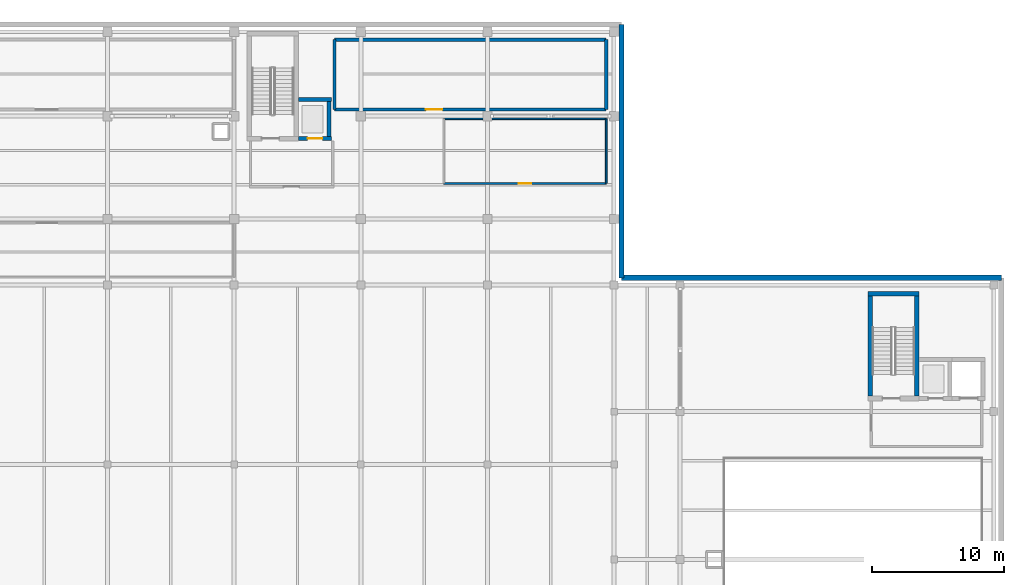
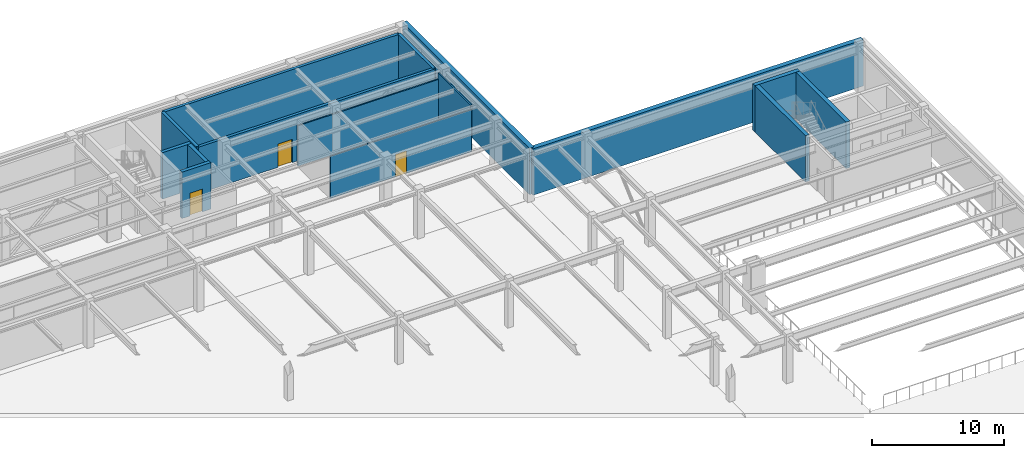
# One storey, part 24 of 32: 15 walls, 3 doors, 3 openings.
"""IFC4 building model written with IfcOpenShell, lengths in metres."""

from ifc_helpers import new_model, si_unit, direction, frame, frame_2d, origin, place, context, subcontext, project, spatial, rectangle, extrude, material, layer, layer_set, type_object, element, fill, save


model = new_model("IFC4")

# Units and contexts
model_context = context("Model", 3, precision=1e-05, world=origin(), true_north=direction((0.0, 1.0)))
body_context = subcontext(model_context, "Body", "Model", "MODEL_VIEW")
ifc_project = project(units=[si_unit("LENGTHUNIT", "METRE"), si_unit("AREAUNIT", "SQUARE_METRE"), si_unit("VOLUMEUNIT", "CUBIC_METRE"), si_unit("PLANEANGLEUNIT", "RADIAN"), si_unit("MASSUNIT", "GRAM", prefix="KILO")], contexts=[model_context])

# Site, building, storey
site_placement = place(None, origin())
site = spatial("IfcSite", under=ifc_project, at=site_placement, CompositionType="ELEMENT")
building_placement = place(site_placement, origin())
building = spatial("IfcBuilding", under=site, at=building_placement, Name="Nordkorset Police Headquarters", CompositionType="ELEMENT")
storey_placement = place(building_placement, frame((0.0, 0.0, -4.550048828125)))
storey = spatial("IfcBuildingStorey", under=building, at=storey_placement, Name="B01", CompositionType="ELEMENT", Elevation=-4.550048828125)

# Walls
ifc_material_1 = material(Name="Concrete C35/45", Category="concrete")
ifc_layer_1 = layer(ifc_material_1, 0.35009765625, Name="Concrete C35/45")
ifc_layer_set_1 = layer_set([ifc_layer_1], Name="Concrete C35/45")
wall_type_1 = type_object("IfcWallType", Name="Wall_CoreShear_350", PredefinedType="SHEAR", material=ifc_layer_set_1)
wall_1_placement = place(storey_placement, frame((105.625, 96.949951171875, 0.0), z_axis=(0.0, 0.0, 1.0), x_axis=(1.0, 0.0, 0.0)))
element("IfcWall", 1, at=wall_1_placement, inside=storey, type_object=wall_type_1, Name="Core K5 Stair Shaft North Shear Wall B01", PredefinedType="SHEAR", context=body_context, shape_type="SweptSolid", body=[
    extrude(rectangle(XDim=3.89990234375, YDim=0.35009765625, at=frame_2d((1.949951171875, 0.0))), origin(), (0.0, 0.0, 1.0), 4.280029296875),
])
for number, where, z_axis, x_axis, name in (
    (2, (105.800048828125, 89.175048828125, 0.0), (0.0, 0.0, 1.0), (0.0, 1.0, 0.0), "Core K5 Stair Shaft West Shear Wall B01"),
    (3, (109.35009765625, 89.175048828125, 0.0), (0.0, 0.0, 1.0), (0.0, 1.0, 0.0), "Core K5 Stair Shaft East Shear Wall B01"),
):
    element("IfcWall", number, at=place(storey_placement, frame(where, z_axis=z_axis, x_axis=x_axis)), inside=storey, type_object=wall_type_1, Name=name, PredefinedType="SHEAR", context=body_context, shape_type="SweptSolid", body=[
        extrude(rectangle(XDim=7.599853515625, YDim=0.35009765625, at=frame_2d((3.7998046875, 0.0))), origin(), (0.0, 0.0, 1.0), 4.280029296875),
    ])

# Wall, opening, door
ifc_material_2 = material(Name="Gypsum board", Category="gypsum")
ifc_layer_2 = layer(ifc_material_2, 0.1201171875, Name="Gypsum board")
ifc_layer_set_2 = layer_set([ifc_layer_2], Name="Gypsum board")
wall_type_2 = type_object("IfcWallType", Name="Wall_Part_120", PredefinedType="PARTITIONING", material=ifc_layer_set_2)
wall_2_placement = place(storey_placement, frame((73.5, 105.300048828125, 0.0), z_axis=(0.0, 0.0, 1.0), x_axis=(1.0, 0.0, 0.0)))
wall_2 = element("IfcWall", 4, at=wall_2_placement, inside=storey, type_object=wall_type_2, Name="Interior Partition Wall Staff Secure Cycle Store and Drying Room", PredefinedType="PARTITIONING", context=body_context, shape_type="SweptSolid", body=[
    extrude(rectangle(XDim=12.300048828125, YDim=0.1201171875, at=frame_2d((6.14990234375, 0.0))), origin(), (0.0, 0.0, 1.0), 3.900146484375),
])
opening_1_placement = place(wall_2_placement, frame((5.669921875, 0.0, 0.0)))
opening_1 = element("IfcOpeningElement", 5, at=opening_1_placement, cuts=wall_2, Name="Opening DR-08", PredefinedType="OPENING", context=body_context, shape_type="SweptSolid", body=[
    extrude(rectangle(XDim=0.9599609375, YDim=2.080078125, at=frame_2d((0.47998046875, 1.0400390625))), frame((0.0, 0.070068359375, 0.0), z_axis=(0.0, -1.0, 0.0), x_axis=(1.0, 0.0, 0.0)), (0.0, 0.0, 1.0), 0.14013671875),
])
ifc_material_3 = material(Name="Glulam GL30c", Category="wood")
door_type_1 = type_object("IfcDoorType", Name="Door_Welfare_960x2080", OperationType="NOTDEFINED", PredefinedType="DOOR", material=ifc_material_3)
door_1_placement = place(opening_1_placement, origin())
door_1 = element("IfcDoor", 6, at=door_1_placement, inside=storey, type_object=door_type_1, Name="Interior Door Staff Secure Cycle Store and Drying Room", OperationType="SINGLE_SWING_LEFT", OverallHeight=2.080078125, OverallWidth=0.9599609375, PredefinedType="DOOR", context=body_context, shape_type="SweptSolid", body=[
    extrude(rectangle(XDim=0.9599609375, YDim=2.080078125, at=frame_2d((0.47998046875, 1.0400390625))), frame((0.0, 0.02490234375, 0.0), z_axis=(0.0, -1.0, 0.0), x_axis=(1.0, 0.0, 0.0)), (0.0, 0.0, 1.0), 0.050048828125),
])
fill(opening_1, door_1)

# Walls
wall_3_placement = place(storey_placement, frame((85.800048828125, 105.300048828125, 0.0), z_axis=(0.0, 0.0, 1.0), x_axis=(0.0, 1.0, 0.0)))
element("IfcWall", 7, at=wall_3_placement, inside=storey, type_object=wall_type_2, Name="Interior Partition Wall Staff Secure Cycle Store and Drying Room", PredefinedType="PARTITIONING", context=body_context, shape_type="SweptSolid", body=[
    extrude(rectangle(XDim=4.89990234375, YDim=0.1201171875, at=frame_2d((2.449951171875, 0.0))), origin(), (0.0, 0.0, 1.0), 4.280029296875),
])
wall_4_placement = place(storey_placement, frame((85.800048828125, 110.199951171875, 0.0), z_axis=(0.0, 0.0, 1.0), x_axis=(-1.0, 0.0, 0.0)))
element("IfcWall", 8, at=wall_4_placement, inside=storey, type_object=wall_type_2, Name="Interior Partition Wall Staff Secure Cycle Store and Drying Room", PredefinedType="PARTITIONING", context=body_context, shape_type="SweptSolid", body=[
    extrude(rectangle(XDim=12.300048828125, YDim=0.1201171875, at=frame_2d((6.14990234375, 0.0))), origin(), (0.0, 0.0, 1.0), 3.719970703125),
])
ifc_material_4 = material(Name="Concrete C40/50", Category="concrete")
ifc_layer_3 = layer(ifc_material_4, 0.39990234375, Name="Concrete C40/50")
ifc_layer_set_3 = layer_set([ifc_layer_3], Name="Concrete C40/50")
wall_type_3 = type_object("IfcWallType", Name="Wall_Retaining_400", PredefinedType="USERDEFINED", material=ifc_layer_set_3)
wall_5_placement = place(storey_placement, frame((86.949951171875, 98.14990234375, 0.0), z_axis=(0.0, 0.0, 1.0), x_axis=(1.0, 0.0, 0.0)))
element("IfcWall", 9, at=wall_5_placement, inside=storey, type_object=wall_type_3, Name="Basement Perimeter Retaining Wall B01 W-N2", ObjectType="RETAINING WALL", PredefinedType="USERDEFINED", context=body_context, shape_type="SweptSolid", body=[
    extrude(rectangle(XDim=28.800048828125, YDim=0.39990234375, at=frame_2d((14.39990234375, 0.0))), origin(), (0.0, 0.0, 1.0), 4.280029296875),
])
wall_6_placement = place(storey_placement, frame((86.949951171875, 98.14990234375, 0.0), z_axis=(0.0, 0.0, 1.0), x_axis=(0.0, 1.0, 0.0)))
element("IfcWall", 10, at=wall_6_placement, inside=storey, type_object=wall_type_3, Name="Basement Perimeter Retaining Wall B01 W-E2", ObjectType="RETAINING WALL", PredefinedType="USERDEFINED", context=body_context, shape_type="SweptSolid", body=[
    extrude(rectangle(XDim=19.2001953125, YDim=0.39990234375, at=frame_2d((9.60009765625, 0.0))), origin(), (0.0, 0.0, 1.0), 4.280029296875),
])

# Wall, opening, door
ifc_material_5 = material(Name="Concrete C35/45", Category="concrete")
ifc_layer_4 = layer(ifc_material_5, 0.300048828125, Name="Concrete C35/45")
ifc_layer_set_4 = layer_set([ifc_layer_4], Name="Concrete C35/45")
wall_type_4 = type_object("IfcWallType", Name="Wall_ShaftShear_300", PredefinedType="SHEAR", material=ifc_layer_set_4)
wall_7_placement = place(storey_placement, frame((62.47509765625, 108.699951171875, 0.0), z_axis=(0.0, 0.0, 1.0), x_axis=(1.0, 0.0, 0.0)))
wall_7 = element("IfcWall", 11, at=wall_7_placement, inside=storey, type_object=wall_type_4, Name="Lift Shaft LF-04 Front Shear Wall B01", PredefinedType="SHEAR", context=body_context, shape_type="SweptSolid", body=[
    extrude(rectangle(XDim=2.5, YDim=0.300048828125, at=frame_2d((1.25, 0.0))), origin(), (0.0, 0.0, 1.0), 4.280029296875),
])
opening_2_placement = place(wall_7_placement, frame((0.699951171875, 0.0, 0.0)))
opening_2 = element("IfcOpeningElement", 12, at=opening_2_placement, cuts=wall_7, Name="Opening LD-04", PredefinedType="OPENING", context=body_context, shape_type="SweptSolid", body=[
    extrude(rectangle(XDim=1.10009765625, YDim=2.10009765625, at=frame_2d((0.550048828125, 1.050048828125))), frame((0.0, 0.16015625, 0.0), z_axis=(0.0, -1.0, 0.0), x_axis=(1.0, 0.0, 0.0)), (0.0, 0.0, 1.0), 0.320068359375),
])
ifc_material_6 = material(Name="Steel S355J2", Category="steel")
door_type_2 = type_object("IfcDoorType", Name="Door_LiftLanding_1100x2100", OperationType="SLIDING_TO_LEFT", PredefinedType="DOOR", material=ifc_material_6)
door_2_placement = place(opening_2_placement, frame((1.10009765625, 0.0, 0.0), z_axis=(0.0, 0.0, 1.0), x_axis=(-1.0, 0.0, 0.0)))
door_2 = element("IfcDoor", 13, at=door_2_placement, inside=storey, type_object=door_type_2, Name="Lift Landing Sliding Door LF-04 B01", OperationType="SLIDING_TO_LEFT", OverallHeight=2.10009765625, OverallWidth=1.10009765625, PredefinedType="DOOR", context=body_context, shape_type="SweptSolid", body=[
    extrude(rectangle(XDim=1.10009765625, YDim=2.10009765625, at=frame_2d((0.550048828125, 1.050048828125))), frame((0.0, 0.02490234375, 0.0), z_axis=(0.0, -1.0, 0.0), x_axis=(1.0, 0.0, 0.0)), (0.0, 0.0, 1.0), 0.050048828125),
])
fill(opening_2, door_2)

# Walls
wall_8_placement = place(storey_placement, frame((62.47509765625, 111.64990234375, 0.0), z_axis=(0.0, 0.0, 1.0), x_axis=(1.0, 0.0, 0.0)))
element("IfcWall", 14, at=wall_8_placement, inside=storey, type_object=wall_type_4, Name="Lift Shaft LF-04 Rear Shear Wall B01", PredefinedType="SHEAR", context=body_context, shape_type="SweptSolid", body=[
    extrude(rectangle(XDim=2.5, YDim=0.300048828125, at=frame_2d((1.25, 0.0))), origin(), (0.0, 0.0, 1.0), 4.280029296875),
])
wall_9_placement = place(storey_placement, frame((64.800048828125, 108.85009765625, 0.0), z_axis=(0.0, 0.0, 1.0), x_axis=(0.0, 1.0, 0.0)))
element("IfcWall", 15, at=wall_9_placement, inside=storey, type_object=wall_type_4, Name="Lift Shaft LF-04 East Shear Wall B01", PredefinedType="SHEAR", context=body_context, shape_type="SweptSolid", body=[
    extrude(rectangle(XDim=2.64990234375, YDim=0.300048828125, at=frame_2d((1.324951171875, 0.0))), origin(), (0.0, 0.0, 1.0), 4.280029296875),
])

# Wall, opening, door
ifc_material_7 = material(Name="Concrete C35/45", Category="concrete")
ifc_layer_5 = layer(ifc_material_7, 0.25, Name="Concrete C35/45")
ifc_layer_set_5 = layer_set([ifc_layer_5], Name="Concrete C35/45")
wall_type_5 = type_object("IfcWallType", Name="Wall_VaultRC_250", PredefinedType="SOLIDWALL", material=ifc_layer_set_5)
wall_10_placement = place(storey_placement, frame((65.199951171875, 110.89990234375, 0.0), z_axis=(0.0, 0.0, 1.0), x_axis=(1.0, 0.0, 0.0)))
wall_10 = element("IfcWall", 16, at=wall_10_placement, inside=storey, type_object=wall_type_5, Name="Interior Partition Wall Resilient Communications Server Vault", PredefinedType="SOLIDWALL", context=body_context, shape_type="SweptSolid", body=[
    extrude(rectangle(XDim=20.60009765625, YDim=0.25, at=frame_2d((10.300048828125, 0.0))), origin(), (0.0, 0.0, 1.0), 4.280029296875),
])
opening_3_placement = place(wall_10_placement, frame((6.925048828125, 0.0, 0.0)))
opening_3 = element("IfcOpeningElement", 17, at=opening_3_placement, cuts=wall_10, Name="Opening DR-04", PredefinedType="OPENING", context=body_context, shape_type="SweptSolid", body=[
    extrude(rectangle(XDim=1.25, YDim=2.14990234375, at=frame_2d((0.625, 1.074951171875))), frame((0.0, 0.135009765625, 0.0), z_axis=(0.0, -1.0, 0.0), x_axis=(1.0, 0.0, 0.0)), (0.0, 0.0, 1.0), 0.27001953125),
])
ifc_material_8 = material(Name="Steel S355J2", Category="steel")
door_type_3 = type_object("IfcDoorType", Name="Door_VaultArmoury_1250x2150", OperationType="NOTDEFINED", PredefinedType="DOOR", material=ifc_material_8)
door_3_placement = place(opening_3_placement, origin())
door_3 = element("IfcDoor", 18, at=door_3_placement, inside=storey, type_object=door_type_3, Name="Interior Door Resilient Communications Server Vault", OperationType="SINGLE_SWING_RIGHT", OverallHeight=2.14990234375, OverallWidth=1.25, PredefinedType="DOOR", context=body_context, shape_type="SweptSolid", body=[
    extrude(rectangle(XDim=1.25, YDim=2.14990234375, at=frame_2d((0.625, 1.074951171875))), frame((0.0, 0.02490234375, 0.0), z_axis=(0.0, -1.0, 0.0), x_axis=(1.0, 0.0, 0.0)), (0.0, 0.0, 1.0), 0.050048828125),
])
fill(opening_3, door_3)

# Walls
wall_11_placement = place(storey_placement, frame((85.800048828125, 110.89990234375, 0.0), z_axis=(0.0, 0.0, 1.0), x_axis=(0.0, 1.0, 0.0)))
element("IfcWall", 19, at=wall_11_placement, inside=storey, type_object=wall_type_5, Name="Interior Partition Wall Resilient Communications Server Vault", PredefinedType="SOLIDWALL", context=body_context, shape_type="SweptSolid", body=[
    extrude(rectangle(XDim=5.300048828125, YDim=0.25, at=frame_2d((2.64990234375, 0.0))), origin(), (0.0, 0.0, 1.0), 4.280029296875),
])
wall_12_placement = place(storey_placement, frame((85.800048828125, 116.199951171875, 0.0), z_axis=(0.0, 0.0, 1.0), x_axis=(-1.0, 0.0, 0.0)))
element("IfcWall", 20, at=wall_12_placement, inside=storey, type_object=wall_type_5, Name="Interior Partition Wall Resilient Communications Server Vault", PredefinedType="SOLIDWALL", context=body_context, shape_type="SweptSolid", body=[
    extrude(rectangle(XDim=20.60009765625, YDim=0.25, at=frame_2d((10.300048828125, 0.0))), origin(), (0.0, 0.0, 1.0), 4.280029296875),
])
wall_13_placement = place(storey_placement, frame((65.199951171875, 116.199951171875, 0.0), z_axis=(0.0, 0.0, 1.0), x_axis=(0.0, -1.0, 0.0)))
element("IfcWall", 21, at=wall_13_placement, inside=storey, type_object=wall_type_5, Name="Interior Partition Wall Resilient Communications Server Vault", PredefinedType="SOLIDWALL", context=body_context, shape_type="SweptSolid", body=[
    extrude(rectangle(XDim=5.300048828125, YDim=0.25, at=frame_2d((2.64990234375, 0.0))), origin(), (0.0, 0.0, 1.0), 4.280029296875),
])

save(model, "model.ifc")
